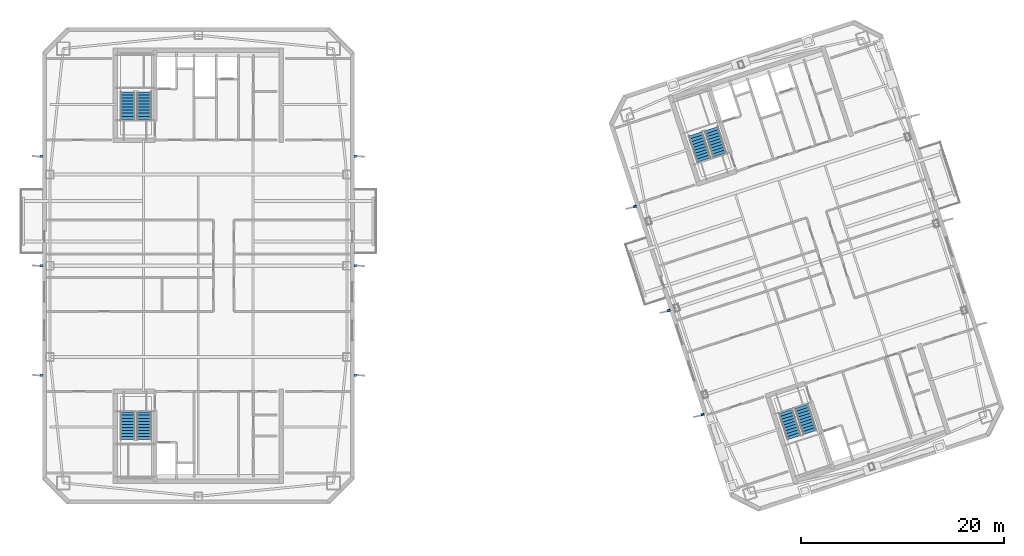
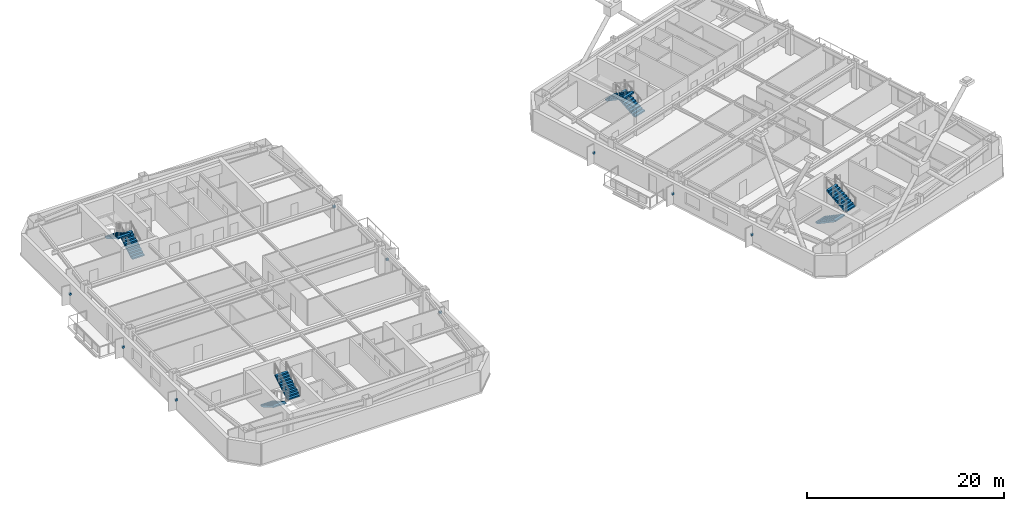
# One storey, part 12 of 18: 9 discrete accessories, 8 stair flights, 4 elements without a shape of their own.
"""IFC4 building model written with IfcOpenShell, lengths in metres."""

import ifcopenshell
import ifcopenshell.guid

model = None  # the IFC model being written
_history = None  # IfcOwnerHistory: only IFC2X3 demands one
_inside = {}  # id of a spatial element -> (the spatial element, [elements in it])
_under = {}  # id of a project, library or spatial element -> (it, [spatial elements below it])
_declared = {}  # id of a project -> (the project, [libraries it declares])
_typed = {}  # id of a type object -> (the type object, [elements of that type])
_made_of = {}  # id of a material, layer set ... -> (it, [elements and type objects made of it])


def new_model(schema):
    """Start an empty IFC model of exactly this schema.

    Asked for "IFC4X3", IfcOpenShell would pick the latest addendum, in which some entities
    have other attributes; the version numbers below select the first issue.
    IFC2X3 requires an IfcOwnerHistory on every rooted entity: one is made here for all.
    """
    global model, _history
    if schema == "IFC4X3":
        model = ifcopenshell.file(schema_version=(4, 3, 0, 0))
    else:
        model = ifcopenshell.file(schema=schema)
    _inside.clear()
    _under.clear()
    _declared.clear()
    _typed.clear()
    _made_of.clear()
    _history = None
    if model.schema == "IFC2X3":
        org = make("IfcOrganization", Name="unknown")
        user = make(
            "IfcPersonAndOrganization",
            ThePerson=make("IfcPerson", FamilyName="unknown"),
            TheOrganization=org,
        )
        app = make(
            "IfcApplication",
            ApplicationDeveloper=org,
            Version="unknown",
            ApplicationFullName="unknown",
            ApplicationIdentifier="unknown",
        )
        _history = make(
            "IfcOwnerHistory",
            OwningUser=user,
            OwningApplication=app,
            ChangeAction="ADDED",
            CreationDate=0,
        )
    return model


def make(cls, **values):
    """One entity of the class cls with the attributes given. An attribute that is None is left unset."""
    return model.create_entity(
        cls, **{name: value for name, value in values.items() if value is not None}
    )


def rooted(cls, **values):
    """An entity with a GlobalId (a new one), such as an element, a storey or a relation."""
    return make(cls, GlobalId=ifcopenshell.guid.new(), OwnerHistory=_history, **values)


def si_unit(unit_type, name, prefix=None):
    """IfcSIUnit, for example si_unit("LENGTHUNIT", "METRE", prefix="MILLI")."""
    return make("IfcSIUnit", UnitType=unit_type, Prefix=prefix, Name=name)


def assignment(units):
    """IfcUnitAssignment: the units of a project."""
    return None if units is None else make("IfcUnitAssignment", Units=units)


def point(xyz):
    """IfcCartesianPoint."""
    return None if xyz is None else make("IfcCartesianPoint", Coordinates=xyz)


def direction(xyz):
    """IfcDirection."""
    return None if xyz is None else make("IfcDirection", DirectionRatios=xyz)


def frame(location, z_axis=None, x_axis=None):
    """IfcAxis2Placement3D, a coordinate frame: its origin and axes. An axis left out is left unset."""
    return make(
        "IfcAxis2Placement3D",
        Location=point(location),
        Axis=direction(z_axis),
        RefDirection=direction(x_axis),
    )


def frame_2d(location, x_axis=None):
    """IfcAxis2Placement2D, a coordinate frame in the plane: its origin and x axis."""
    return make(
        "IfcAxis2Placement2D", Location=point(location), RefDirection=direction(x_axis)
    )


def origin():
    """The frame at (0, 0, 0) with its axes left unset."""
    return frame((0.0, 0.0, 0.0))


def origin_2d():
    """The frame at (0, 0) in the plane with its x axis left unset."""
    return frame_2d((0.0, 0.0))


def place(relative_to, where):
    """IfcLocalPlacement: puts the frame where relative to a parent placement (None: the world)."""
    return make(
        "IfcLocalPlacement", PlacementRelTo=relative_to, RelativePlacement=where
    )


def context(
    kind, dimensions, precision=None, world=None, true_north=None, identifier=None
):
    """IfcGeometricRepresentationContext, for example the 3D "Model" context."""
    return make(
        "IfcGeometricRepresentationContext",
        ContextIdentifier=identifier,
        ContextType=kind,
        CoordinateSpaceDimension=dimensions,
        Precision=precision,
        WorldCoordinateSystem=world,
        TrueNorth=true_north,
    )


def subcontext(parent, identifier, kind, view, scale=None):
    """IfcGeometricRepresentationSubContext, for example "Body" below "Model"."""
    return make(
        "IfcGeometricRepresentationSubContext",
        ContextIdentifier=identifier,
        ContextType=kind,
        ParentContext=parent,
        TargetScale=scale,
        TargetView=view,
    )


def project(units=None, contexts=None):
    """IfcProject with its units and contexts."""
    return rooted(
        "IfcProject",
        Name="project",
        RepresentationContexts=contexts,
        UnitsInContext=assignment(units),
    )


def spatial(cls, under=None, at=None, **own):
    """A site, building, storey or space (cls), placed at a placement, below another one or the project."""
    s = rooted(cls, ObjectPlacement=at, **own)
    if under is not None:
        _under.setdefault(under.id(), (under, []))[1].append(s)
    return s


def polyline(points):
    """IfcPolyline through the points."""
    return make("IfcPolyline", Points=[point(p) for p in points])


def profile(cls, at=None, kind="AREA", **sizes):
    """A parametric profile (cls). Its sizes go by their IFC names, for example OverallWidth=200.0."""
    return make(cls, ProfileType=kind, Position=at, **sizes)


def rectangle(**sizes):
    """IfcRectangleProfileDef."""
    return profile("IfcRectangleProfileDef", **sizes)


def outline(outer, holes=None, kind="AREA"):
    """IfcArbitraryClosedProfileDef: a profile drawn as a closed curve; with holes, ...WithVoids."""
    if holes is None:
        return make("IfcArbitraryClosedProfileDef", ProfileType=kind, OuterCurve=outer)
    return make(
        "IfcArbitraryProfileDefWithVoids",
        ProfileType=kind,
        OuterCurve=outer,
        InnerCurves=holes,
    )


def extrude(swept, where, along, depth):
    """IfcExtrudedAreaSolid: the profile swept, set in the frame where, extruded along a direction by depth."""
    return make(
        "IfcExtrudedAreaSolid",
        SweptArea=swept,
        Position=where,
        ExtrudedDirection=direction(along),
        Depth=depth,
    )


def shape(context_of_items, identifier, shape_type, items):
    """IfcShapeRepresentation: the items that make up one representation, for example the "Body"."""
    return make(
        "IfcShapeRepresentation",
        ContextOfItems=context_of_items,
        RepresentationIdentifier=identifier,
        RepresentationType=shape_type,
        Items=items,
    )


def material(Name=None, Category=None):
    """IfcMaterial."""
    return make("IfcMaterial", Name=Name, Category=Category)


def made_of(thing, what):
    """Note that an element or type object is made of a material, layer set ...; save() writes the relation."""
    if what is not None:
        _made_of.setdefault(what.id(), (what, []))[1].append(thing)
    return thing


def type_object(cls, material=None, **own):
    """A type object (cls), such as IfcWallType, which elements share."""
    return made_of(rooted(cls, **own), material)


def element(
    cls,
    number,
    at=None,
    inside=None,
    cuts=None,
    type_object=None,
    material=None,
    context=None,
    identifier="Body",
    shape_type=None,
    held_by="IfcProductDefinitionShape",
    body=None,
    shapes=None,
    **own,
):
    """One element of the class cls, such as IfcWall. Its Tag is "e" and its number.

    at: its placement. inside: the storey or other place that contains it. cuts: it is an
    opening in that element (IfcRelVoidsElement). A single representation is given by context,
    identifier, shape_type and body (its items); several are given by shapes. held_by: the class
    of the entity that holds the representations. save() writes the other relations.
    """
    e = rooted(cls, Tag="e%d" % number, ObjectPlacement=at, **own)
    if body is not None:
        shapes = [shape(context, identifier, shape_type, body)]
    if shapes is not None:
        e.Representation = make(held_by, Representations=shapes)
    if inside is not None:
        _inside.setdefault(inside.id(), (inside, []))[1].append(e)
    if cuts is not None:
        rooted(
            "IfcRelVoidsElement", RelatingBuildingElement=cuts, RelatedOpeningElement=e
        )
    if type_object is not None:
        _typed.setdefault(type_object.id(), (type_object, []))[1].append(e)
    return made_of(e, material)


def aggregate(whole, parts):
    """IfcRelAggregates: a whole, such as a stair, and the parts it consists of."""
    return rooted("IfcRelAggregates", RelatingObject=whole, RelatedObjects=parts)


def save(model, path):
    """Write the relations noted so far, then the file.

    IfcRelAggregates (storeys below a building ...), IfcRelContainedInSpatialStructure (elements
    in a storey), IfcRelDefinesByType, IfcRelAssociatesMaterial and IfcRelDeclares: one each for
    every whole, place, type object, material and project.
    """
    for whole, parts in _under.values():
        aggregate(whole, parts)
    for where, things in _inside.values():
        rooted(
            "IfcRelContainedInSpatialStructure",
            RelatedElements=things,
            RelatingStructure=where,
        )
    for kind, things in _typed.values():
        rooted("IfcRelDefinesByType", RelatedObjects=things, RelatingType=kind)
    for what, things in _made_of.values():
        rooted("IfcRelAssociatesMaterial", RelatedObjects=things, RelatingMaterial=what)
    for by, libraries in _declared.values():
        rooted("IfcRelDeclares", RelatingContext=by, RelatedDefinitions=libraries)
    model.write(path)


model = new_model("IFC4")

# Units and contexts
model_context = context("Model", 3, precision=1e-05, world=origin(), true_north=direction((0.0, 1.0)))
body_context = subcontext(model_context, "Body", "Model", "MODEL_VIEW")
ifc_project = project(units=[si_unit("LENGTHUNIT", "METRE"), si_unit("AREAUNIT", "SQUARE_METRE"), si_unit("VOLUMEUNIT", "CUBIC_METRE"), si_unit("PLANEANGLEUNIT", "RADIAN"), si_unit("MASSUNIT", "GRAM", prefix="KILO")], contexts=[model_context])

# Site, building, storey
site_placement = place(None, origin())
site = spatial("IfcSite", under=ifc_project, at=site_placement, CompositionType="ELEMENT")
building_placement = place(site_placement, origin())
building = spatial("IfcBuilding", under=site, at=building_placement, Name="Qiaolan Cultural Towers", CompositionType="ELEMENT")
storey_placement = place(building_placement, frame((0.0, 0.0, 226.550048828125)))
storey = spatial("IfcBuildingStorey", under=building, at=storey_placement, Name="L61", CompositionType="ELEMENT", Elevation=226.550048828125)

# Stair, stair flights
ifc_material_1 = material(Name="Concrete C45", Category="concrete")
stair_type = type_object("IfcStairType", Name="STR-CORE-1500", PredefinedType="HALF_TURN_STAIR", material=ifc_material_1)
stair_1_placement = place(storey_placement, origin())
stair_1 = element("IfcStair", 1, at=stair_1_placement, inside=storey, type_object=stair_type, Name="L61 Smokeproof Exit Stair ST-W1", PredefinedType="HALF_TURN_STAIR")
ifc_material_2 = material(Name="Concrete C45", Category="concrete")
stair_flight_type = type_object("IfcStairFlightType", Name="STR-CORE-1500-FL", PredefinedType="STRAIGHT", material=ifc_material_2)
stair_flight_1_placement = place(storey_placement, frame((23.02001953125, 19.550048828125, 0.0), z_axis=(0.0, 0.0, 1.0), x_axis=(0.0, -1.0, 0.0)))
stair_flight_1 = element("IfcStairFlight", 2, at=stair_flight_1_placement, type_object=stair_flight_type, Name="ST-W1 flight 1", NumberOfRisers=10, NumberOfTreads=9, PredefinedType="STRAIGHT", RiserHeight=0.1725, TreadLength=0.3, context=body_context, shape_type="SweptSolid", body=[
    extrude(outline(polyline([(0.0, 0.0), (0.0, 0.172607421875), (0.300048828125, 0.172607421875), (0.300048828125, 0.344970703125), (0.60009765625, 0.344970703125), (0.60009765625, 0.517578125), (0.89990234375, 0.517578125), (0.89990234375, 0.68994140625), (1.199951171875, 0.68994140625), (1.199951171875, 0.862548828125), (1.5, 0.862548828125), (1.5, 1.034912109375), (1.800048828125, 1.034912109375), (1.800048828125, 1.20751953125), (2.10009765625, 1.20751953125), (2.10009765625, 1.3798828125), (2.39990234375, 1.3798828125), (2.39990234375, 1.552490234375), (2.699951171875, 1.552490234375), (2.699951171875, 1.72509765625), (2.699951171875, 1.379638671875), (0.30078125, 0.0), (0.0, 0.0)])), frame((0.0, 0.719970703125, 0.0), z_axis=(0.0, -1.0, 0.0), x_axis=(1.0, 0.0, 0.0)), (0.0, 0.0, 1.0), 1.43994140625),
])
stair_flight_2_placement = place(storey_placement, frame((24.659912109375, 16.85009765625, 1.724853515625), z_axis=(0.0, 0.0, 1.0), x_axis=(0.0, 1.0, 0.0)))
stair_flight_2 = element("IfcStairFlight", 3, at=stair_flight_2_placement, type_object=stair_flight_type, Name="ST-W1 flight 2", NumberOfRisers=10, NumberOfTreads=9, PredefinedType="STRAIGHT", RiserHeight=0.1725, TreadLength=0.3, context=body_context, shape_type="SweptSolid", body=[
    extrude(outline(polyline([(0.0, 0.0), (0.0, 0.172607421875), (0.300048828125, 0.172607421875), (0.300048828125, 0.344970703125), (0.60009765625, 0.344970703125), (0.60009765625, 0.517578125), (0.89990234375, 0.517578125), (0.89990234375, 0.68994140625), (1.199951171875, 0.68994140625), (1.199951171875, 0.862548828125), (1.5, 0.862548828125), (1.5, 1.034912109375), (1.800048828125, 1.034912109375), (1.800048828125, 1.20751953125), (2.10009765625, 1.20751953125), (2.10009765625, 1.3798828125), (2.39990234375, 1.3798828125), (2.39990234375, 1.552490234375), (2.699951171875, 1.552490234375), (2.699951171875, 1.72509765625), (2.699951171875, 1.379638671875), (0.30078125, 0.0), (0.0, 0.0)])), frame((0.0, 0.719970703125, 0.0), z_axis=(0.0, -1.0, 0.0), x_axis=(1.0, 0.0, 0.0)), (0.0, 0.0, 1.0), 1.43994140625),
])
aggregate(stair_1, [stair_flight_1, stair_flight_2])

stair_2_placement = place(storey_placement, origin())
stair_2 = element("IfcStair", 4, at=stair_2_placement, inside=storey, type_object=stair_type, Name="L61 Smokeproof Exit Stair ST-W2", PredefinedType="HALF_TURN_STAIR")
stair_flight_3_placement = place(storey_placement, frame((24.659912109375, 48.449951171875, 0.0), z_axis=(0.0, 0.0, 1.0), x_axis=(0.0, 1.0, 0.0)))
stair_flight_3 = element("IfcStairFlight", 5, at=stair_flight_3_placement, type_object=stair_flight_type, Name="ST-W2 flight 1", NumberOfRisers=10, NumberOfTreads=9, PredefinedType="STRAIGHT", RiserHeight=0.1725, TreadLength=0.3, context=body_context, shape_type="SweptSolid", body=[
    extrude(outline(polyline([(0.0, 0.0), (0.0, 0.172607421875), (0.300048828125, 0.172607421875), (0.300048828125, 0.344970703125), (0.60009765625, 0.344970703125), (0.60009765625, 0.517578125), (0.89990234375, 0.517578125), (0.89990234375, 0.68994140625), (1.199951171875, 0.68994140625), (1.199951171875, 0.862548828125), (1.5, 0.862548828125), (1.5, 1.034912109375), (1.800048828125, 1.034912109375), (1.800048828125, 1.20751953125), (2.10009765625, 1.20751953125), (2.10009765625, 1.3798828125), (2.39990234375, 1.3798828125), (2.39990234375, 1.552490234375), (2.699951171875, 1.552490234375), (2.699951171875, 1.72509765625), (2.699951171875, 1.379638671875), (0.30078125, 0.0), (0.0, 0.0)])), frame((0.0, 0.719970703125, 0.0), z_axis=(0.0, -1.0, 0.0), x_axis=(1.0, 0.0, 0.0)), (0.0, 0.0, 1.0), 1.43994140625),
])
stair_flight_4_placement = place(storey_placement, frame((23.02001953125, 51.14990234375, 1.724853515625), z_axis=(0.0, 0.0, 1.0), x_axis=(0.0, -1.0, 0.0)))
stair_flight_4 = element("IfcStairFlight", 6, at=stair_flight_4_placement, type_object=stair_flight_type, Name="ST-W2 flight 2", NumberOfRisers=10, NumberOfTreads=9, PredefinedType="STRAIGHT", RiserHeight=0.1725, TreadLength=0.3, context=body_context, shape_type="SweptSolid", body=[
    extrude(outline(polyline([(0.0, 0.0), (0.0, 0.172607421875), (0.300048828125, 0.172607421875), (0.300048828125, 0.344970703125), (0.60009765625, 0.344970703125), (0.60009765625, 0.517578125), (0.89990234375, 0.517578125), (0.89990234375, 0.68994140625), (1.199951171875, 0.68994140625), (1.199951171875, 0.862548828125), (1.5, 0.862548828125), (1.5, 1.034912109375), (1.800048828125, 1.034912109375), (1.800048828125, 1.20751953125), (2.10009765625, 1.20751953125), (2.10009765625, 1.3798828125), (2.39990234375, 1.3798828125), (2.39990234375, 1.552490234375), (2.699951171875, 1.552490234375), (2.699951171875, 1.72509765625), (2.699951171875, 1.379638671875), (0.30078125, 0.0), (0.0, 0.0)])), frame((0.0, 0.719970703125, 0.0), z_axis=(0.0, -1.0, 0.0), x_axis=(1.0, 0.0, 0.0)), (0.0, 0.0, 1.0), 1.43994140625),
])
aggregate(stair_2, [stair_flight_3, stair_flight_4])

stair_3_placement = place(storey_placement, origin())
stair_3 = element("IfcStair", 7, at=stair_3_placement, inside=storey, type_object=stair_type, Name="L61 Smokeproof Exit Stair ST-E1", PredefinedType="HALF_TURN_STAIR")
stair_flight_5_placement = place(storey_placement, frame((87.96484375, 19.6171875, 0.0), z_axis=(0.0, 0.0, 1.0), x_axis=(0.309016994375, -0.951056516295, 0.0)))
stair_flight_5 = element("IfcStairFlight", 8, at=stair_flight_5_placement, type_object=stair_flight_type, Name="ST-E1 flight 1", NumberOfRisers=10, NumberOfTreads=9, PredefinedType="STRAIGHT", RiserHeight=0.1725, TreadLength=0.3, context=body_context, shape_type="SweptSolid", body=[
    extrude(outline(polyline([(0.0, 0.0), (0.0, 0.172607421875), (0.300048828125, 0.172607421875), (0.300048828125, 0.344970703125), (0.60009765625, 0.344970703125), (0.60009765625, 0.517578125), (0.89990234375, 0.517578125), (0.89990234375, 0.68994140625), (1.199951171875, 0.68994140625), (1.199951171875, 0.862548828125), (1.5, 0.862548828125), (1.5, 1.034912109375), (1.800048828125, 1.034912109375), (1.800048828125, 1.20751953125), (2.10009765625, 1.20751953125), (2.10009765625, 1.3798828125), (2.39990234375, 1.3798828125), (2.39990234375, 1.552490234375), (2.699951171875, 1.552490234375), (2.699951171875, 1.72509765625), (2.699951171875, 1.379638671875), (0.30078125, 0.0), (0.0, 0.0)])), frame((0.0, 0.719970703125, 0.0), z_axis=(0.0, -1.0, 0.0), x_axis=(1.0, 0.0, 0.0)), (0.0, 0.0, 1.0), 1.43994140625),
])
stair_flight_6_placement = place(storey_placement, frame((90.359130859375, 17.55615234375, 1.724853515625), z_axis=(0.0, 0.0, 1.0), x_axis=(-0.309016994375, 0.951056516295, 0.0)))
stair_flight_6 = element("IfcStairFlight", 9, at=stair_flight_6_placement, type_object=stair_flight_type, Name="ST-E1 flight 2", NumberOfRisers=10, NumberOfTreads=9, PredefinedType="STRAIGHT", RiserHeight=0.1725, TreadLength=0.3, context=body_context, shape_type="SweptSolid", body=[
    extrude(outline(polyline([(0.0, 0.0), (0.0, 0.172607421875), (0.300048828125, 0.172607421875), (0.300048828125, 0.344970703125), (0.60009765625, 0.344970703125), (0.60009765625, 0.517578125), (0.89990234375, 0.517578125), (0.89990234375, 0.68994140625), (1.199951171875, 0.68994140625), (1.199951171875, 0.862548828125), (1.5, 0.862548828125), (1.5, 1.034912109375), (1.800048828125, 1.034912109375), (1.800048828125, 1.20751953125), (2.10009765625, 1.20751953125), (2.10009765625, 1.3798828125), (2.39990234375, 1.3798828125), (2.39990234375, 1.552490234375), (2.699951171875, 1.552490234375), (2.699951171875, 1.72509765625), (2.699951171875, 1.379638671875), (0.30078125, 0.0), (0.0, 0.0)])), frame((0.0, 0.719970703125, 0.0), z_axis=(0.0, -1.0, 0.0), x_axis=(1.0, 0.0, 0.0)), (0.0, 0.0, 1.0), 1.43994140625),
])
aggregate(stair_3, [stair_flight_5, stair_flight_6])

stair_4_placement = place(storey_placement, origin())
stair_4 = element("IfcStair", 10, at=stair_4_placement, inside=storey, type_object=stair_type, Name="L61 Smokeproof Exit Stair ST-E2", PredefinedType="HALF_TURN_STAIR")
stair_flight_7_placement = place(storey_placement, frame((81.459228515625, 44.946533203125, 0.0), z_axis=(0.0, 0.0, 1.0), x_axis=(-0.309016994375, 0.951056516295, 0.0)))
stair_flight_7 = element("IfcStairFlight", 11, at=stair_flight_7_placement, type_object=stair_flight_type, Name="ST-E2 flight 1", NumberOfRisers=10, NumberOfTreads=9, PredefinedType="STRAIGHT", RiserHeight=0.1725, TreadLength=0.3, context=body_context, shape_type="SweptSolid", body=[
    extrude(outline(polyline([(0.0, 0.0), (0.0, 0.172607421875), (0.300048828125, 0.172607421875), (0.300048828125, 0.344970703125), (0.60009765625, 0.344970703125), (0.60009765625, 0.517578125), (0.89990234375, 0.517578125), (0.89990234375, 0.68994140625), (1.199951171875, 0.68994140625), (1.199951171875, 0.862548828125), (1.5, 0.862548828125), (1.5, 1.034912109375), (1.800048828125, 1.034912109375), (1.800048828125, 1.20751953125), (2.10009765625, 1.20751953125), (2.10009765625, 1.3798828125), (2.39990234375, 1.3798828125), (2.39990234375, 1.552490234375), (2.699951171875, 1.552490234375), (2.699951171875, 1.72509765625), (2.699951171875, 1.379638671875), (0.30078125, 0.0), (0.0, 0.0)])), frame((0.0, 0.719970703125, 0.0), z_axis=(0.0, -1.0, 0.0), x_axis=(1.0, 0.0, 0.0)), (0.0, 0.0, 1.0), 1.43994140625),
])
stair_flight_8_placement = place(storey_placement, frame((79.065185546875, 47.007568359375, 1.724853515625), z_axis=(0.0, 0.0, 1.0), x_axis=(0.309016994375, -0.951056516295, 0.0)))
stair_flight_8 = element("IfcStairFlight", 12, at=stair_flight_8_placement, type_object=stair_flight_type, Name="ST-E2 flight 2", NumberOfRisers=10, NumberOfTreads=9, PredefinedType="STRAIGHT", RiserHeight=0.1725, TreadLength=0.3, context=body_context, shape_type="SweptSolid", body=[
    extrude(outline(polyline([(0.0, 0.0), (0.0, 0.172607421875), (0.300048828125, 0.172607421875), (0.300048828125, 0.344970703125), (0.60009765625, 0.344970703125), (0.60009765625, 0.517578125), (0.89990234375, 0.517578125), (0.89990234375, 0.68994140625), (1.199951171875, 0.68994140625), (1.199951171875, 0.862548828125), (1.5, 0.862548828125), (1.5, 1.034912109375), (1.800048828125, 1.034912109375), (1.800048828125, 1.20751953125), (2.10009765625, 1.20751953125), (2.10009765625, 1.3798828125), (2.39990234375, 1.3798828125), (2.39990234375, 1.552490234375), (2.699951171875, 1.552490234375), (2.699951171875, 1.72509765625), (2.699951171875, 1.379638671875), (0.30078125, 0.0), (0.0, 0.0)])), frame((0.0, 0.719970703125, 0.0), z_axis=(0.0, -1.0, 0.0), x_axis=(1.0, 0.0, 0.0)), (0.0, 0.0, 1.0), 1.43994140625),
])
aggregate(stair_4, [stair_flight_7, stair_flight_8])

# Discrete accessories
ifc_material_3 = material(Name="Stainless Steel S31608 Facade Anchor Bracket", Category="steel")
discrete_accessory_type = type_object("IfcDiscreteAccessoryType", Name="ACC-BRK-SS", PredefinedType="BRACKET", material=ifc_material_3)
for number, where, z_axis, x_axis, name in (
    (13, (14.52001953125, 23.199951171875, 1.15478515625), (0.0, 0.0, 1.0), (1.0, 0.0, 0.0), "L61 T1 Facade Fin Anchor Bracket W1"),
    (14, (14.52001953125, 34.0, 1.15478515625), (0.0, 0.0, 1.0), (1.0, 0.0, 0.0), "L61 T1 Facade Fin Anchor Bracket W2"),
    (15, (14.52001953125, 44.800048828125, 1.15478515625), (0.0, 0.0, 1.0), (1.0, 0.0, 0.0), "L61 T1 Facade Fin Anchor Bracket W3"),
    (16, (45.47998046875, 23.199951171875, 1.15478515625), (0.0, 0.0, 1.0), (1.0, 0.0, 0.0), "L61 T1 Facade Fin Anchor Bracket E1"),
    (17, (45.47998046875, 34.0, 1.15478515625), (0.0, 0.0, 1.0), (1.0, 0.0, 0.0), "L61 T1 Facade Fin Anchor Bracket E2"),
    (18, (45.47998046875, 44.800048828125, 1.15478515625), (0.0, 0.0, 1.0), (1.0, 0.0, 0.0), "L61 T1 Facade Fin Anchor Bracket E3"),
    (19, (79.75634765625, 19.31591796875, 1.15478515625), (0.0, 0.0, 1.0), (0.951056516295, 0.309016994375, 0.0), "L61 T2 Facade Fin Anchor Bracket W1"),
    (20, (76.4189453125, 29.587158203125, 1.15478515625), (0.0, 0.0, 1.0), (0.951056516295, 0.309016994375, 0.0), "L61 T2 Facade Fin Anchor Bracket W2"),
    (21, (73.08154296875, 39.858642578125, 1.15478515625), (0.0, 0.0, 1.0), (0.951056516295, 0.309016994375, 0.0), "L61 T2 Facade Fin Anchor Bracket W3"),
):
    element("IfcDiscreteAccessory", number, at=place(storey_placement, frame(where, z_axis=z_axis, x_axis=x_axis)), inside=storey, type_object=discrete_accessory_type, Name=name, PredefinedType="BRACKET", context=body_context, shape_type="SweptSolid", body=[
        extrude(rectangle(XDim=0.280029296875, YDim=0.219970703125, at=origin_2d()), origin(), (0.0, 0.0, 1.0), 0.239990234375),
    ])

save(model, "model.ifc")
